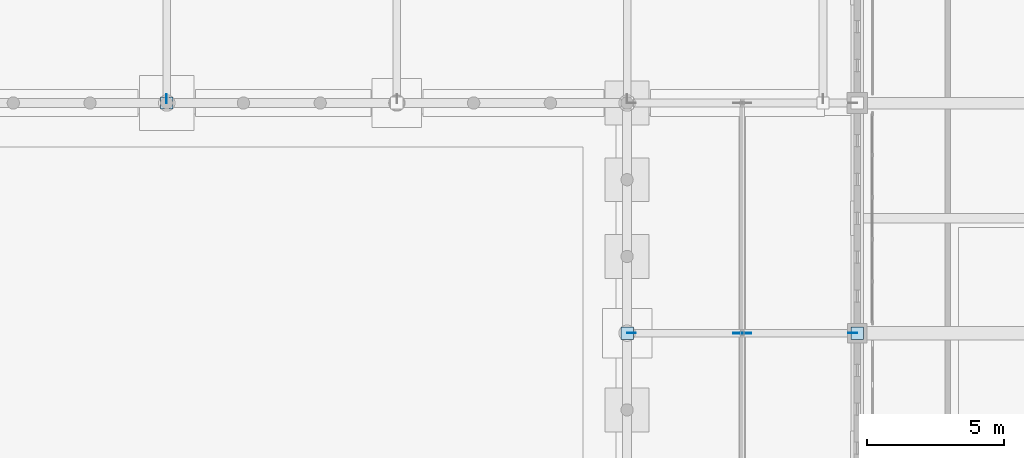
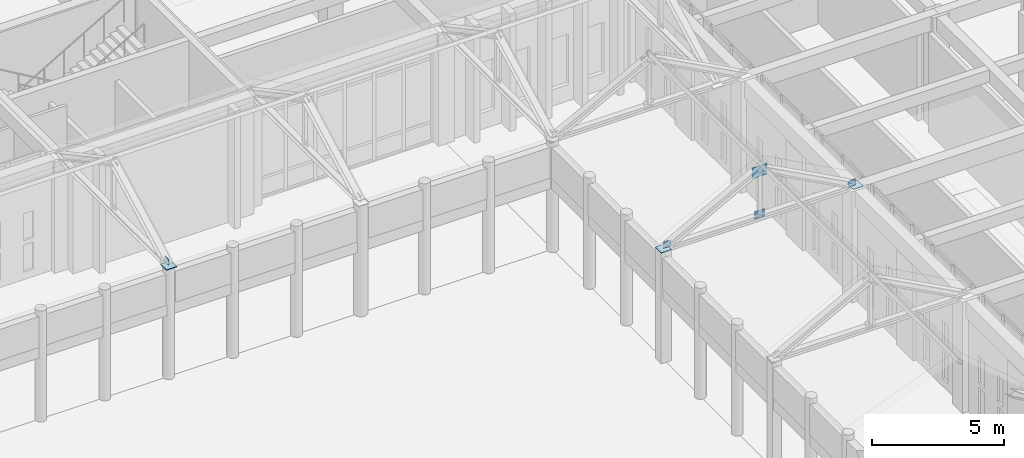
# One storey, part 104 of 143: 8 plates.
"""IFC4 building model written with IfcOpenShell, lengths in metres."""

from ifc_helpers import new_model, si_unit, direction, frame, origin, origin_2d, place, context, subcontext, project, spatial, rectangle, extrude, material, layer, layer_set, type_object, element, save


model = new_model("IFC4")

# Units and contexts
model_context = context("Model", 3, precision=1e-05, world=origin(), true_north=direction((0.0, 1.0)))
body_context = subcontext(model_context, "Body", "Model", "MODEL_VIEW")
ifc_project = project(units=[si_unit("LENGTHUNIT", "METRE"), si_unit("AREAUNIT", "SQUARE_METRE"), si_unit("VOLUMEUNIT", "CUBIC_METRE"), si_unit("PLANEANGLEUNIT", "RADIAN"), si_unit("MASSUNIT", "GRAM", prefix="KILO")], contexts=[model_context])

# Site, building, storey
site_placement = place(None, origin())
site = spatial("IfcSite", under=ifc_project, at=site_placement, CompositionType="ELEMENT")
building_placement = place(site_placement, origin())
building = spatial("IfcBuilding", under=site, at=building_placement, Name="Kveldsbrygga Polytechnic", CompositionType="ELEMENT")
storey_placement = place(building_placement, origin())
storey = spatial("IfcBuildingStorey", under=building, at=storey_placement, Name="L00", CompositionType="ELEMENT", Elevation=0.0)

# Plates
ifc_material = material(Name="Steel S355", Category="steel")
ifc_layer_1 = layer(ifc_material, 0.030029296875)
ifc_layer_set_1 = layer_set([ifc_layer_1], Name="Steel S355")
plate_type_1 = type_object("IfcPlateType", Name="CAP-BEAR-450", PredefinedType="SHEET", material=ifc_layer_set_1)
for number, where, z_axis, x_axis, name in (
    (1, (100.800048828125, 75.60009765625, 5.10986328125), (0.0, 0.0, 1.0), (1.0, 0.0, 0.0), "Truss Bearing Plate ARC-EN-T04-A"),
    (2, (117.60009765625, 67.199951171875, 5.10986328125), (0.0, 0.0, 1.0), (1.0, 0.0, 0.0), "Truss Bearing Plate ARC-EE-T05-A"),
    (3, (126.0, 67.199951171875, 5.10986328125), (0.0, 0.0, 1.0), (1.0, 0.0, 0.0), "Truss Bearing Plate ARC-EE-T05-B"),
):
    element("IfcPlate", number, at=place(storey_placement, frame(where, z_axis=z_axis, x_axis=x_axis)), inside=storey, type_object=plate_type_1, Name=name, PredefinedType="SHEET", context=body_context, shape_type="SweptSolid", body=[
        extrude(rectangle(XDim=0.449951171875, YDim=0.449951171875, at=origin_2d()), origin(), (0.0, 0.0, 1.0), 0.030029296875),
    ])
ifc_layer_2 = layer(ifc_material, 0.02490234375)
ifc_layer_set_2 = layer_set([ifc_layer_2], Name="Steel S355")
plate_type_2 = type_object("IfcPlateType", Name="GUS-APEX-650", PredefinedType="SHEET", material=ifc_layer_set_2)
plate_1_placement = place(storey_placement, frame((121.800048828125, 67.199951171875, 6.989990234375), z_axis=(0.0, 0.0, 1.0), x_axis=(1.0, 0.0, 0.0)))
element("IfcPlate", 4, at=plate_1_placement, inside=storey, type_object=plate_type_2, Name="Truss Gusset Plate ARC-EE-T05-GP-1", PredefinedType="SHEET", context=body_context, shape_type="SweptSolid", body=[
    extrude(rectangle(XDim=0.64990234375, YDim=0.02490234375, at=origin_2d()), origin(), (0.0, 0.0, 1.0), 0.5),
])
ifc_layer_3 = layer(ifc_material, 0.01806640625)
ifc_layer_set_3 = layer_set([ifc_layer_3], Name="Steel S355")
plate_type_3 = type_object("IfcPlateType", Name="GUS-BRACE-320", PredefinedType="SHEET", material=ifc_layer_set_3)
plate_2_placement = place(storey_placement, frame((100.800048828125, 75.760009765625, 5.10009765625), z_axis=(0.0, 0.0, 1.0), x_axis=(1.0, 0.0, 0.0)))
element("IfcPlate", 5, at=plate_2_placement, inside=storey, type_object=plate_type_3, Name="Truss Eaves Node Gusset ARC-EN-T04-EGP-A", PredefinedType="SHEET", context=body_context, shape_type="SweptSolid", body=[
    extrude(rectangle(XDim=0.01806640625, YDim=0.320068359375, at=origin_2d()), origin(), (0.0, 0.0, 1.0), 0.320068359375),
])
for number, where, z_axis, x_axis, name in (
    (6, (117.760009765625, 67.199951171875, 5.10009765625), (0.0, 0.0, 1.0), (1.0, 0.0, 0.0), "Truss Eaves Node Gusset ARC-EE-T05-EGP-A"),
    (7, (125.840087890625, 67.199951171875, 5.10009765625), (0.0, 0.0, 1.0), (1.0, 0.0, 0.0), "Truss Eaves Node Gusset ARC-EE-T05-EGP-B"),
):
    element("IfcPlate", number, at=place(storey_placement, frame(where, z_axis=z_axis, x_axis=x_axis)), inside=storey, type_object=plate_type_3, Name=name, PredefinedType="SHEET", context=body_context, shape_type="SweptSolid", body=[
        extrude(rectangle(XDim=0.320068359375, YDim=0.01806640625, at=origin_2d()), origin(), (0.0, 0.0, 1.0), 0.320068359375),
    ])
ifc_layer_4 = layer(ifc_material, 0.02001953125)
ifc_layer_set_4 = layer_set([ifc_layer_4], Name="Steel S355")
plate_type_4 = type_object("IfcPlateType", Name="GUS-LECT-420", PredefinedType="SHEET", material=ifc_layer_set_4)
plate_3_placement = place(storey_placement, frame((121.800048828125, 67.199951171875, 5.0849609375), z_axis=(0.0, 0.0, 1.0), x_axis=(1.0, 0.0, 0.0)))
element("IfcPlate", 8, at=plate_3_placement, inside=storey, type_object=plate_type_4, Name="Truss Bottom-Chord Node Gusset ARC-EE-T05-BGP-1", PredefinedType="SHEET", context=body_context, shape_type="SweptSolid", body=[
    extrude(rectangle(XDim=0.419921875, YDim=0.02001953125, at=origin_2d()), origin(), (0.0, 0.0, 1.0), 0.35009765625),
])

save(model, "model.ifc")
